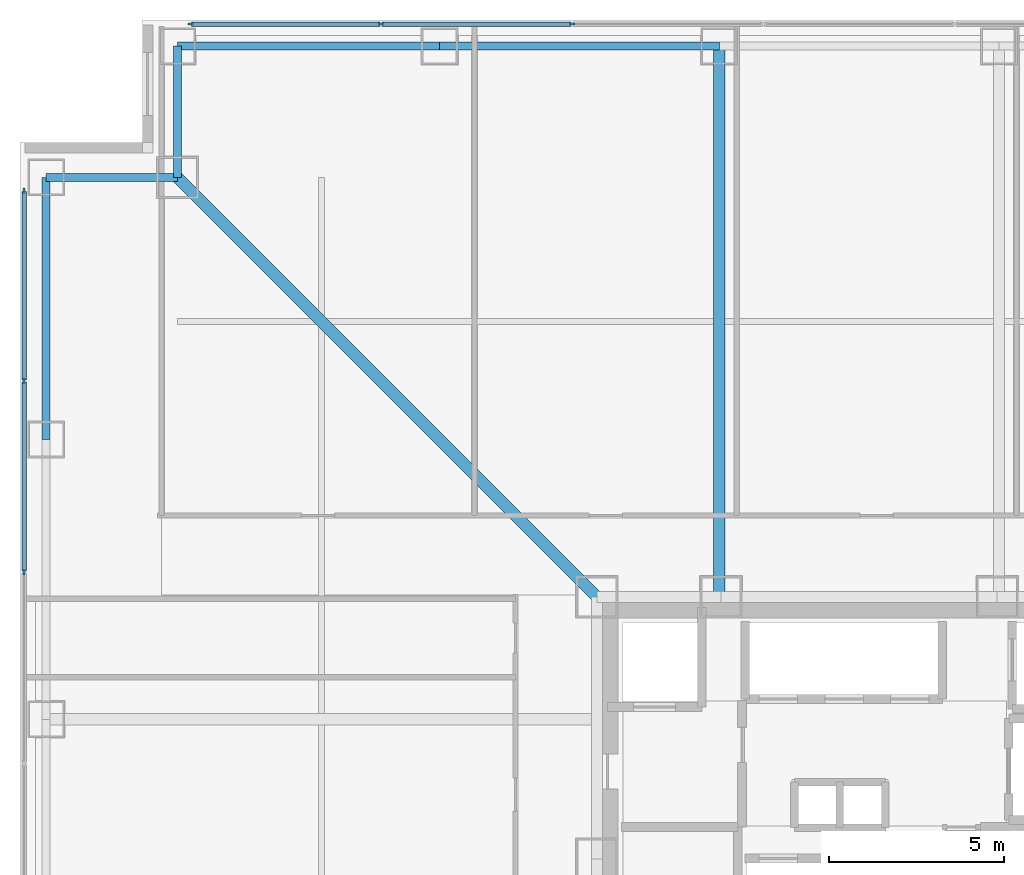
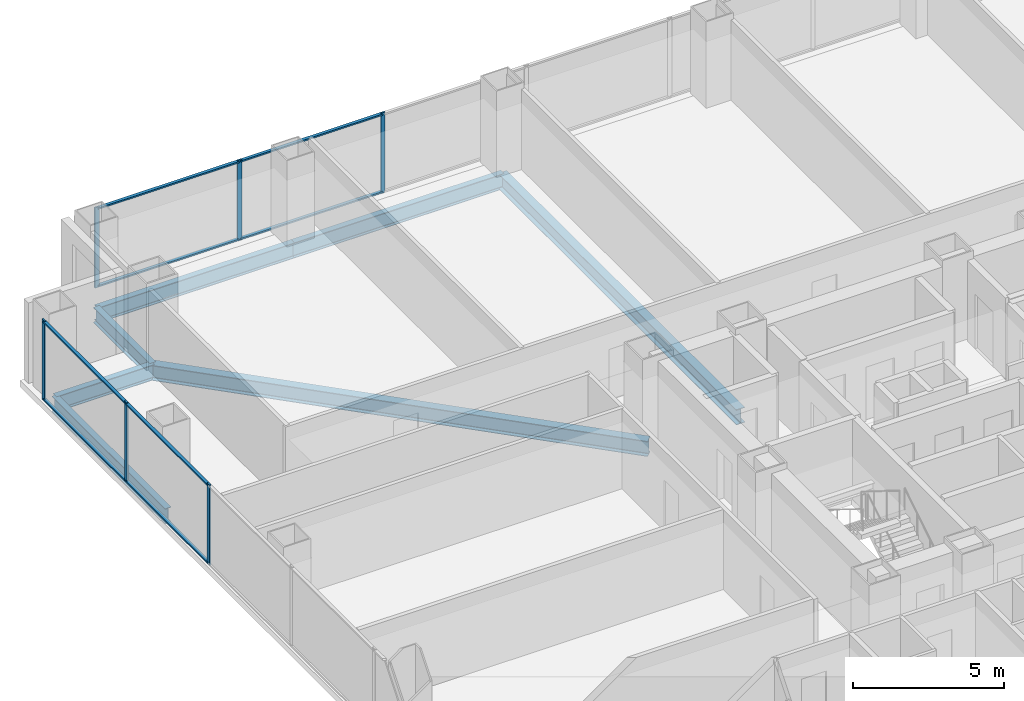
# One storey, part 11 of 20: 14 members, 7 beams, 2 elements without a shape of their own.
"""IFC4 building model written with IfcOpenShell, lengths in metres."""

from ifc_helpers import new_model, si_unit, direction, frame, origin, origin_2d, place, context, subcontext, project, spatial, rectangle, i_section, extrude, material, layer, layer_set, material_profile, profile_set, type_object, element, aggregate, save


model = new_model("IFC4")

# Units and contexts
model_context = context("Model", 3, precision=1e-05, world=origin(), true_north=direction((0.0, 1.0)))
body_context = subcontext(model_context, "Body", "Model", "MODEL_VIEW")
ifc_project = project(units=[si_unit("LENGTHUNIT", "METRE"), si_unit("AREAUNIT", "SQUARE_METRE"), si_unit("VOLUMEUNIT", "CUBIC_METRE"), si_unit("PLANEANGLEUNIT", "RADIAN"), si_unit("MASSUNIT", "GRAM", prefix="KILO")], contexts=[model_context])

# Site, building, storey
site_placement = place(None, origin())
site = spatial("IfcSite", under=ifc_project, at=site_placement, CompositionType="ELEMENT")
building_placement = place(site_placement, origin())
building = spatial("IfcBuilding", under=site, at=building_placement, Name="Trevonay Congress Spire", CompositionType="ELEMENT")
storey_placement = place(building_placement, frame((0.0, 0.0, 62.0)))
storey = spatial("IfcBuildingStorey", under=building, at=storey_placement, Name="L15", CompositionType="ELEMENT", Elevation=62.0)

# Beams
ifc_material_1 = material(Name="Steel ASTM A572 Grade 50", Category="steel")
ifc_material_profile_1 = material_profile(ifc_material_1, i_section(OverallWidth=0.324951171875, OverallDepth=0.615966796875, WebThickness=0.013916015625, FlangeThickness=0.021484375, FilletRadius=0.01806640625, at=origin_2d()), Name="W610x174")
ifc_profile_set_1 = profile_set([ifc_material_profile_1], Name="Steel ASTM A572 Grade 50")
beam_type_1 = type_object("IfcBeamType", Name="BM-GIRD-W610X174", PredefinedType="BEAM", material=ifc_profile_set_1)
beam_1_placement = place(storey_placement, frame((-7.5, 7.5, -0.55810546875), z_axis=(-0.707106781187, 0.707106781187, 0.0), x_axis=(-0.707106781187, -0.707106781187, 0.0)))
element("IfcBeam", 1, at=beam_1_placement, inside=storey, type_object=beam_type_1, Name="L15 structural beam BM-L15-CDNW", PredefinedType="BEAM", context=body_context, shape_type="SweptSolid", body=[
    extrude(i_section(OverallWidth=0.324951171875, OverallDepth=0.615966796875, WebThickness=0.013916015625, FlangeThickness=0.021484375, FilletRadius=0.01806640625, at=origin_2d()), origin(), (0.0, 0.0, 1.0), 16.970458984375),
])
beam_2_placement = place(storey_placement, frame((-4.0, 7.5, -0.55810546875), z_axis=(0.0, 1.0, 0.0), x_axis=(-1.0, 0.0, 0.0)))
element("IfcBeam", 2, at=beam_2_placement, inside=storey, type_object=beam_type_1, Name="L15 structural beam BM-L15-GN-M", PredefinedType="BEAM", context=body_context, shape_type="SweptSolid", body=[
    extrude(i_section(OverallWidth=0.324951171875, OverallDepth=0.615966796875, WebThickness=0.013916015625, FlangeThickness=0.021484375, FilletRadius=0.01806640625, at=origin_2d()), origin(), (0.0, 0.0, 1.0), 15.75),
])
ifc_material_profile_2 = material_profile(ifc_material_1, i_section(OverallWidth=0.22998046875, OverallDepth=0.616943359375, WebThickness=0.01318359375, FlangeThickness=0.022216796875, FilletRadius=0.01611328125, at=origin_2d()), Name="W610x140")
ifc_profile_set_2 = profile_set([ifc_material_profile_2], Name="Steel ASTM A572 Grade 50")
beam_type_2 = type_object("IfcBeamType", Name="BM-RING-W610X140", PredefinedType="BEAM", material=ifc_profile_set_2)
beam_3_placement = place(storey_placement, frame((-19.5, 23.25, -0.55859375), z_axis=(1.0, 0.0, 0.0), x_axis=(0.0, 1.0, 0.0)))
element("IfcBeam", 3, at=beam_3_placement, inside=storey, type_object=beam_type_2, Name="L15 structural beam BM-L15-PN1", PredefinedType="BEAM", context=body_context, shape_type="SweptSolid", body=[
    extrude(i_section(OverallWidth=0.22998046875, OverallDepth=0.616943359375, WebThickness=0.01318359375, FlangeThickness=0.022216796875, FilletRadius=0.01611328125, at=origin_2d()), origin(), (0.0, 0.0, 1.0), 7.5),
])
beam_4_placement = place(storey_placement, frame((-12.0, 23.25, -0.55859375), z_axis=(1.0, 0.0, 0.0), x_axis=(0.0, 1.0, 0.0)))
element("IfcBeam", 4, at=beam_4_placement, inside=storey, type_object=beam_type_2, Name="L15 structural beam BM-L15-PN2", PredefinedType="BEAM", context=body_context, shape_type="SweptSolid", body=[
    extrude(i_section(OverallWidth=0.22998046875, OverallDepth=0.616943359375, WebThickness=0.01318359375, FlangeThickness=0.022216796875, FilletRadius=0.01611328125, at=origin_2d()), origin(), (0.0, 0.0, 1.0), 8.0),
])
beam_5_placement = place(storey_placement, frame((-23.25, 12.0, -0.55859375), z_axis=(0.0, 1.0, 0.0), x_axis=(-1.0, 0.0, 0.0)))
element("IfcBeam", 5, at=beam_5_placement, inside=storey, type_object=beam_type_2, Name="L15 structural beam BM-L15-PW5", PredefinedType="BEAM", context=body_context, shape_type="SweptSolid", body=[
    extrude(i_section(OverallWidth=0.22998046875, OverallDepth=0.616943359375, WebThickness=0.01318359375, FlangeThickness=0.022216796875, FilletRadius=0.01611328125, at=origin_2d()), origin(), (0.0, 0.0, 1.0), 7.5),
])
for number, where, z_axis, x_axis, name in (
    (6, (-19.5, 23.25, -0.55859375), (0.0, -1.0, 0.0), (1.0, 0.0, 0.0), "L15 structural beam BM-L15-N1NW"),
    (7, (-23.25, 19.5, -0.55859375), (1.0, 0.0, 0.0), (0.0, 1.0, 0.0), "L15 structural beam BM-L15-N2NW"),
):
    element("IfcBeam", number, at=place(storey_placement, frame(where, z_axis=z_axis, x_axis=x_axis)), inside=storey, type_object=beam_type_2, Name=name, PredefinedType="BEAM", context=body_context, shape_type="SweptSolid", body=[
        extrude(i_section(OverallWidth=0.22998046875, OverallDepth=0.616943359375, WebThickness=0.01318359375, FlangeThickness=0.022216796875, FilletRadius=0.01611328125, at=origin_2d()), origin(), (0.0, 0.0, 1.0), 3.75),
    ])

# Curtain wall, members
ifc_material_2 = material(Name="Pale Anodised Aluminium EN AW-6063-T6", Category="aluminium")
ifc_layer = layer(ifc_material_2, 0.179931640625, Name="Pale Anodised Aluminium EN AW-6063-T6")
ifc_layer_set = layer_set([ifc_layer], Name="Pale Anodised Aluminium EN AW-6063-T6")
curtain_wall_type = type_object("IfcCurtainWallType", Name="CW-SYS02-HOTEL-PALE-METAL", PredefinedType="NOTDEFINED", material=ifc_layer_set)
curtain_wall_1_placement = place(storey_placement, origin())
curtain_wall_1 = element("IfcCurtainWall", 8, at=curtain_wall_1_placement, inside=storey, type_object=curtain_wall_type, Name="L15 N unitised curtain wall", PredefinedType="NOTDEFINED")
ifc_material_profile_3 = material_profile(ifc_material_2, rectangle(XDim=0.06005859375, YDim=0.159912109375, at=origin_2d()), Name="CW-MULLION-160-ALUMINIUM")
ifc_profile_set_3 = profile_set([ifc_material_profile_3], Name="Pale Anodised Aluminium EN AW-6063-T6")
member_type_1 = type_object("IfcMemberType", Name="CW-MULLION-160-ALUMINIUM", PredefinedType="MULLION", material=ifc_profile_set_3)
member_1_placement = place(storey_placement, frame((-19.1201171875, 23.8798828125, 0.0), z_axis=(0.0, 0.0, 1.0), x_axis=(0.0, 1.0, 0.0)))
member_1 = element("IfcMember", 9, at=member_1_placement, type_object=member_type_1, Name="CW02 mullion 1", PredefinedType="MULLION", context=body_context, shape_type="SweptSolid", body=[
    extrude(rectangle(XDim=0.06005859375, YDim=0.159912109375, at=origin_2d()), origin(), (0.0, 0.0, 1.0), 3.25),
])
member_2_placement = place(storey_placement, frame((-13.678466796875, 23.8798828125, 0.0), z_axis=(0.0, 0.0, 1.0), x_axis=(0.0, 1.0, 0.0)))
member_2 = element("IfcMember", 10, at=member_2_placement, type_object=member_type_1, Name="CW02 mullion 2", PredefinedType="MULLION", context=body_context, shape_type="SweptSolid", body=[
    extrude(rectangle(XDim=0.06005859375, YDim=0.159912109375, at=origin_2d()), origin(), (0.0, 0.0, 1.0), 3.25),
])
member_3_placement = place(storey_placement, frame((-8.20703125, 23.8798828125, 0.0), z_axis=(0.0, 0.0, 1.0), x_axis=(0.0, 1.0, 0.0)))
member_3 = element("IfcMember", 11, at=member_3_placement, type_object=member_type_1, Name="CW02 mullion 3", PredefinedType="MULLION", context=body_context, shape_type="SweptSolid", body=[
    extrude(rectangle(XDim=0.06005859375, YDim=0.159912109375, at=origin_2d()), origin(), (0.0, 0.0, 1.0), 3.25),
])

curtain_wall_2_placement = place(storey_placement, origin())
curtain_wall_2 = element("IfcCurtainWall", 12, at=curtain_wall_2_placement, inside=storey, type_object=curtain_wall_type, Name="L15 W unitised curtain wall", PredefinedType="NOTDEFINED")
member_4_placement = place(storey_placement, frame((-23.8798828125, 8.20703125, 0.0), z_axis=(0.0, 0.0, 1.0), x_axis=(-1.0, 0.0, 0.0)))
member_4 = element("IfcMember", 13, at=member_4_placement, type_object=member_type_1, Name="CW02 mullion 6", PredefinedType="MULLION", context=body_context, shape_type="SweptSolid", body=[
    extrude(rectangle(XDim=0.06005859375, YDim=0.159912109375, at=origin_2d()), origin(), (0.0, 0.0, 1.0), 3.25),
])
member_5_placement = place(storey_placement, frame((-23.8798828125, 13.678466796875, 0.0), z_axis=(0.0, 0.0, 1.0), x_axis=(-1.0, 0.0, 0.0)))
member_5 = element("IfcMember", 14, at=member_5_placement, type_object=member_type_1, Name="CW02 mullion 7", PredefinedType="MULLION", context=body_context, shape_type="SweptSolid", body=[
    extrude(rectangle(XDim=0.06005859375, YDim=0.159912109375, at=origin_2d()), origin(), (0.0, 0.0, 1.0), 3.25),
])
member_6_placement = place(storey_placement, frame((-23.8798828125, 19.1201171875, 0.0), z_axis=(0.0, 0.0, 1.0), x_axis=(-1.0, 0.0, 0.0)))
member_6 = element("IfcMember", 15, at=member_6_placement, type_object=member_type_1, Name="CW02 mullion 8", PredefinedType="MULLION", context=body_context, shape_type="SweptSolid", body=[
    extrude(rectangle(XDim=0.06005859375, YDim=0.159912109375, at=origin_2d()), origin(), (0.0, 0.0, 1.0), 3.25),
])

# Member
ifc_material_profile_4 = material_profile(ifc_material_2, rectangle(XDim=0.1201171875, YDim=0.06005859375, at=origin_2d()), Name="CW-TRANSOM-120-ALUMINIUM")
ifc_profile_set_4 = profile_set([ifc_material_profile_4], Name="Pale Anodised Aluminium EN AW-6063-T6")
member_type_2 = type_object("IfcMemberType", Name="CW-TRANSOM-120-ALUMINIUM", PredefinedType="USERDEFINED", material=ifc_profile_set_4)
member_7_placement = place(storey_placement, frame((-19.090087890625, 23.8798828125, 0.06005859375), z_axis=(1.0, 0.0, 0.0), x_axis=(0.0, 1.0, 0.0)))
member_7 = element("IfcMember", 16, at=member_7_placement, type_object=member_type_2, Name="CW02 transom 1.1", ObjectType="TRANSOM", PredefinedType="USERDEFINED", context=body_context, shape_type="SweptSolid", body=[
    extrude(rectangle(XDim=0.1201171875, YDim=0.06005859375, at=origin_2d()), origin(), (0.0, 0.0, 1.0), 5.381591796875),
])

member_8_placement = place(storey_placement, frame((-19.090087890625, 23.8798828125, 3.18994140625), z_axis=(1.0, 0.0, 0.0), x_axis=(0.0, 1.0, 0.0)))
member_8 = element("IfcMember", 17, at=member_8_placement, type_object=member_type_2, Name="CW02 transom 1.2", ObjectType="TRANSOM", PredefinedType="USERDEFINED", context=body_context, shape_type="SweptSolid", body=[
    extrude(rectangle(XDim=0.1201171875, YDim=0.06005859375, at=origin_2d()), origin(), (0.0, 0.0, 1.0), 5.381591796875),
])

member_9_placement = place(storey_placement, frame((-13.648681640625, 23.8798828125, 0.06005859375), z_axis=(1.0, 0.0, 0.0), x_axis=(0.0, 1.0, 0.0)))
member_9 = element("IfcMember", 18, at=member_9_placement, type_object=member_type_2, Name="CW02 transom 2.1", ObjectType="TRANSOM", PredefinedType="USERDEFINED", context=body_context, shape_type="SweptSolid", body=[
    extrude(rectangle(XDim=0.1201171875, YDim=0.06005859375, at=origin_2d()), origin(), (0.0, 0.0, 1.0), 5.41162109375),
])

member_10_placement = place(storey_placement, frame((-13.648681640625, 23.8798828125, 3.18994140625), z_axis=(1.0, 0.0, 0.0), x_axis=(0.0, 1.0, 0.0)))
member_10 = element("IfcMember", 19, at=member_10_placement, type_object=member_type_2, Name="CW02 transom 2.2", ObjectType="TRANSOM", PredefinedType="USERDEFINED", context=body_context, shape_type="SweptSolid", body=[
    extrude(rectangle(XDim=0.1201171875, YDim=0.06005859375, at=origin_2d()), origin(), (0.0, 0.0, 1.0), 5.41162109375),
])

aggregate(curtain_wall_1, [member_1, member_2, member_3, member_7, member_8, member_9, member_10])

member_11_placement = place(storey_placement, frame((-23.8798828125, 8.237060546875, 0.06005859375), z_axis=(0.0, 1.0, 0.0), x_axis=(-1.0, 0.0, 0.0)))
member_11 = element("IfcMember", 20, at=member_11_placement, type_object=member_type_2, Name="CW02 transom 6.1", ObjectType="TRANSOM", PredefinedType="USERDEFINED", context=body_context, shape_type="SweptSolid", body=[
    extrude(rectangle(XDim=0.1201171875, YDim=0.06005859375, at=origin_2d()), origin(), (0.0, 0.0, 1.0), 5.41162109375),
])

member_12_placement = place(storey_placement, frame((-23.8798828125, 8.237060546875, 3.18994140625), z_axis=(0.0, 1.0, 0.0), x_axis=(-1.0, 0.0, 0.0)))
member_12 = element("IfcMember", 21, at=member_12_placement, type_object=member_type_2, Name="CW02 transom 6.2", ObjectType="TRANSOM", PredefinedType="USERDEFINED", context=body_context, shape_type="SweptSolid", body=[
    extrude(rectangle(XDim=0.1201171875, YDim=0.06005859375, at=origin_2d()), origin(), (0.0, 0.0, 1.0), 5.41162109375),
])

member_13_placement = place(storey_placement, frame((-23.8798828125, 13.70849609375, 0.06005859375), z_axis=(0.0, 1.0, 0.0), x_axis=(-1.0, 0.0, 0.0)))
member_13 = element("IfcMember", 22, at=member_13_placement, type_object=member_type_2, Name="CW02 transom 7.1", ObjectType="TRANSOM", PredefinedType="USERDEFINED", context=body_context, shape_type="SweptSolid", body=[
    extrude(rectangle(XDim=0.1201171875, YDim=0.06005859375, at=origin_2d()), origin(), (0.0, 0.0, 1.0), 5.381591796875),
])

member_14_placement = place(storey_placement, frame((-23.8798828125, 13.70849609375, 3.18994140625), z_axis=(0.0, 1.0, 0.0), x_axis=(-1.0, 0.0, 0.0)))
member_14 = element("IfcMember", 23, at=member_14_placement, type_object=member_type_2, Name="CW02 transom 7.2", ObjectType="TRANSOM", PredefinedType="USERDEFINED", context=body_context, shape_type="SweptSolid", body=[
    extrude(rectangle(XDim=0.1201171875, YDim=0.06005859375, at=origin_2d()), origin(), (0.0, 0.0, 1.0), 5.381591796875),
])

aggregate(curtain_wall_2, [member_4, member_5, member_6, member_11, member_12, member_13, member_14])

save(model, "model.ifc")
